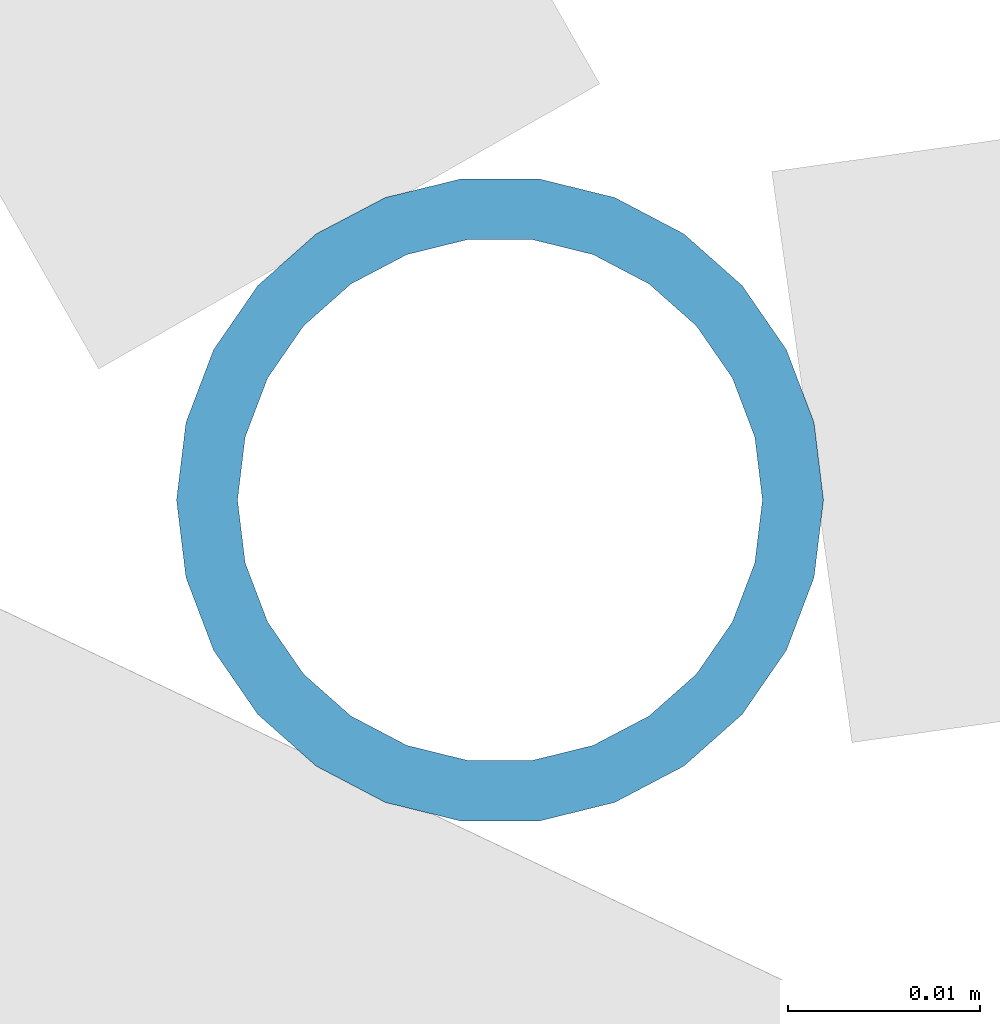
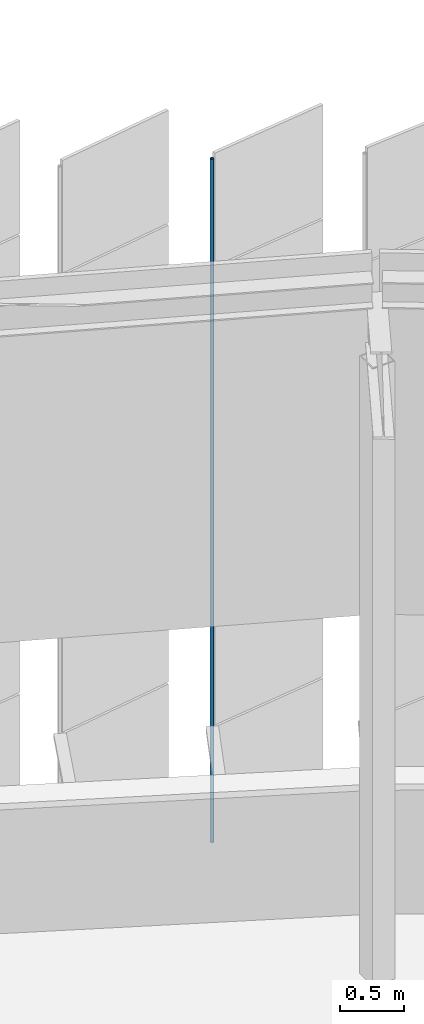
# One storey, part 398 of 483: 1 discrete accessory.
"""IFC4 building model written with IfcOpenShell, lengths in metres."""

from ifc_helpers import new_model, si_unit, direction, frame, origin, origin_2d, place, context, subcontext, project, spatial, hollow_circle, extrude, material, material_profile, profile_set, type_object, element, save


model = new_model("IFC4")

# Units and contexts
model_context = context("Model", 3, precision=1e-05, world=origin(), true_north=direction((0.0, 1.0)))
body_context = subcontext(model_context, "Body", "Model", "MODEL_VIEW")
ifc_project = project(units=[si_unit("LENGTHUNIT", "METRE"), si_unit("AREAUNIT", "SQUARE_METRE"), si_unit("VOLUMEUNIT", "CUBIC_METRE"), si_unit("PLANEANGLEUNIT", "RADIAN"), si_unit("MASSUNIT", "GRAM", prefix="KILO")], contexts=[model_context])

# Site, building, storey
site_placement = place(None, origin())
site = spatial("IfcSite", under=ifc_project, at=site_placement, CompositionType="ELEMENT")
building_placement = place(site_placement, origin())
building = spatial("IfcBuilding", under=site, at=building_placement, Name="Parallax Yard Mobility Hub", CompositionType="ELEMENT")
storey_placement = place(building_placement, frame((0.0, 0.0, 13.199951171875)))
storey = spatial("IfcBuildingStorey", under=building, at=storey_placement, Name="L04", CompositionType="ELEMENT", Elevation=13.199951171875)

# Discrete accessory
ifc_material = material(Name="Steel ASTM A500 Gr C, hot-dip galvanised", Category="steel")
ifc_material_profile = material_profile(ifc_material, hollow_circle(Radius=0.016845703125, WallThickness=0.003173828125, at=origin_2d()), Name="CHS 33.7x3.2")
ifc_profile_set = profile_set([ifc_material_profile], Name="Steel ASTM A500 Gr C, hot-dip galvanised")
discrete_accessory_type = type_object("IfcDiscreteAccessoryType", Name="Hinge post CHS 33.7x3.2", PredefinedType="BRACKET", material=ifc_profile_set)
discrete_accessory_placement = place(storey_placement, frame((195.631103515625, 138.040771484375, 0.0), z_axis=(0.0, 0.0, 1.0), x_axis=(1.0, 0.0, 0.0)))
element("IfcDiscreteAccessory", 1, at=discrete_accessory_placement, inside=storey, type_object=discrete_accessory_type, Name="Hinge post bay 48.2 level L04", PredefinedType="BRACKET", context=body_context, shape_type="SweptSolid", body=[
    extrude(hollow_circle(Radius=0.016845703125, WallThickness=0.003173828125, at=origin_2d()), origin(), (0.0, 0.0, 1.0), 6.550048828125),
])

save(model, "model.ifc")
